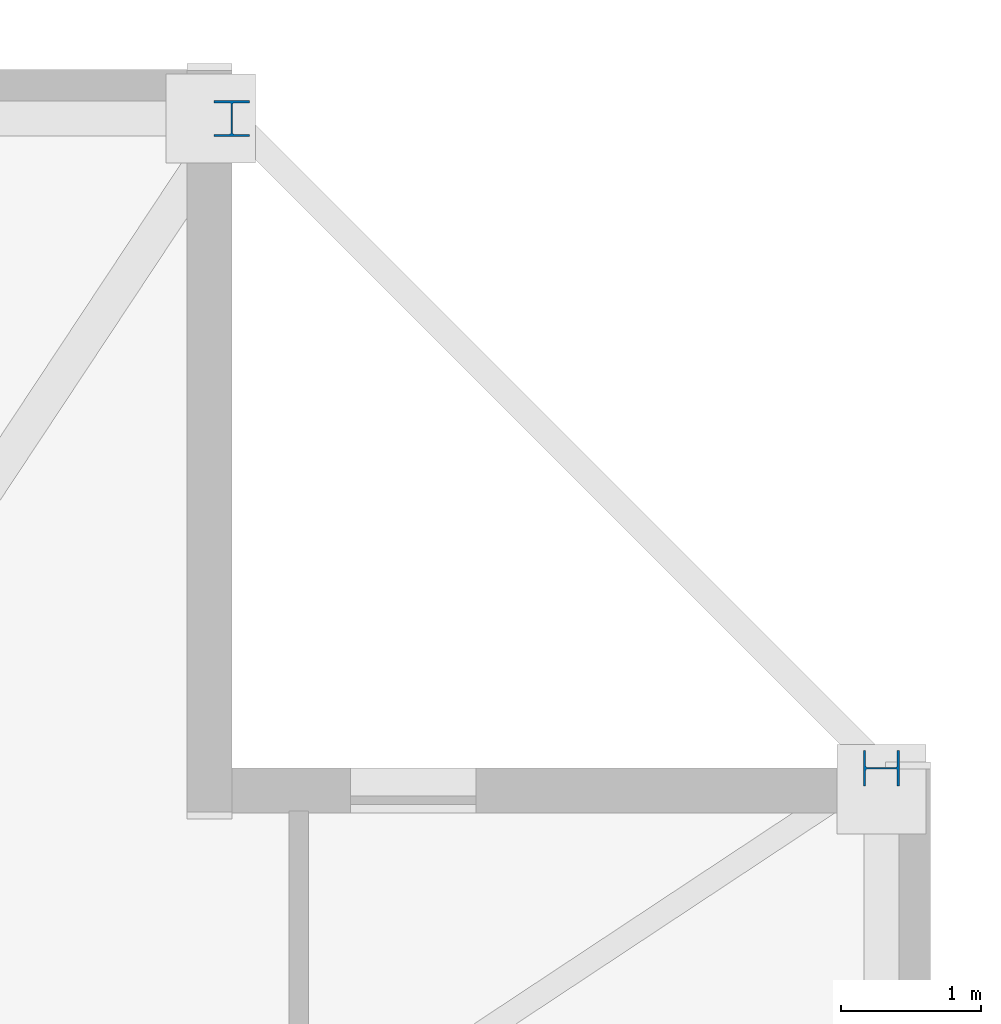
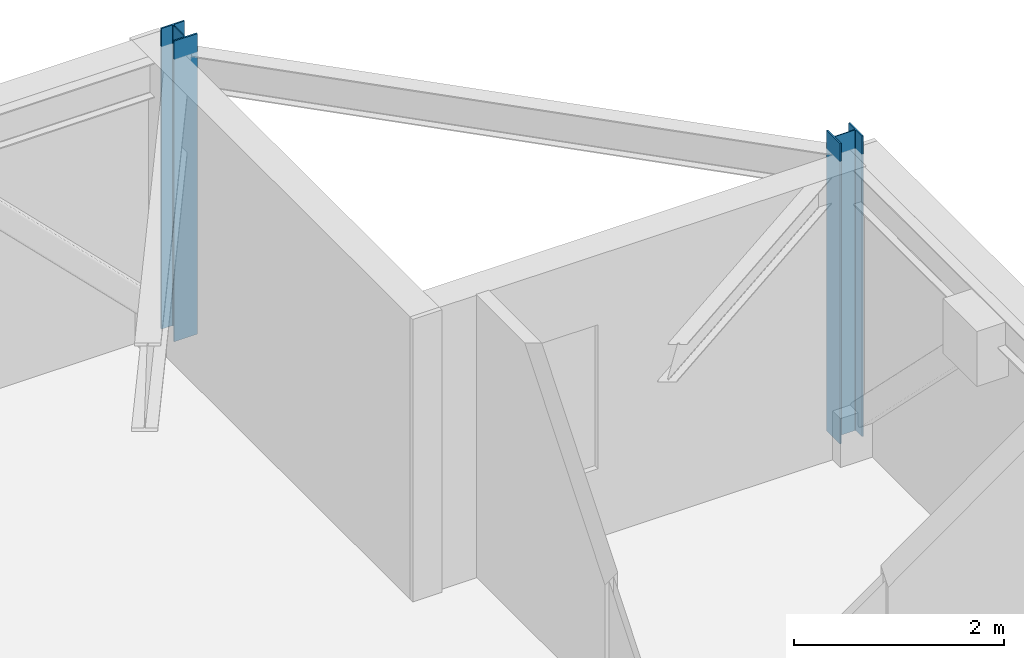
# One storey, part 5 of 17: 2 columns.
"""IFC4 building model written with IfcOpenShell, lengths in metres."""

from ifc_helpers import new_model, si_unit, direction, frame, origin, origin_2d, place, context, subcontext, project, spatial, i_section, extrude, material, material_profile, profile_set, type_object, element, save


model = new_model("IFC4")

# Units and contexts
model_context = context("Model", 3, precision=1e-05, world=origin(), true_north=direction((0.0, 1.0)))
body_context = subcontext(model_context, "Body", "Model", "MODEL_VIEW")
ifc_project = project(units=[si_unit("LENGTHUNIT", "METRE"), si_unit("AREAUNIT", "SQUARE_METRE"), si_unit("VOLUMEUNIT", "CUBIC_METRE"), si_unit("PLANEANGLEUNIT", "RADIAN"), si_unit("MASSUNIT", "GRAM", prefix="KILO")], contexts=[model_context])

# Site, building, storey
site_placement = place(None, origin())
site = spatial("IfcSite", under=ifc_project, at=site_placement, CompositionType="ELEMENT")
building_placement = place(site_placement, origin())
building = spatial("IfcBuilding", under=site, at=building_placement, Name="Cairnveth Concourse Tower", CompositionType="ELEMENT")
storey_placement = place(building_placement, frame((0.0, 0.0, 223.5)))
storey = spatial("IfcBuildingStorey", under=building, at=storey_placement, Name="L61", CompositionType="ELEMENT", Elevation=223.5)

# Columns
ifc_material = material(Name="Steel Grade 350", Category="steel")
ifc_material_profile = material_profile(ifc_material, i_section(OverallWidth=0.256103515625, OverallDepth=0.260009765625, WebThickness=0.010498046875, FlangeThickness=0.017333984375, FilletRadius=0.012939453125, at=origin_2d()), Name="250UC89.5")
ifc_profile_set = profile_set([ifc_material_profile], Name="Steel Grade 350")
column_type = type_object("IfcColumnType", Name="UNIVERSAL STEEL COLUMN 250UC89.5", PredefinedType="COLUMN", material=ifc_profile_set)
for number, where, z_axis, x_axis, name in (
    (1, (74.14990234375, 56.5, 0.0), (0.0, 0.0, 1.0), (0.0, 1.0, 0.0), "Column P-E4 L61"),
    (2, (69.5, 61.14990234375, 0.0), (0.0, 0.0, 1.0), (1.0, 0.0, 0.0), "Column P-N1 L61"),
):
    element("IfcColumn", number, at=place(storey_placement, frame(where, z_axis=z_axis, x_axis=x_axis)), inside=storey, type_object=column_type, Name=name, PredefinedType="COLUMN", context=body_context, shape_type="SweptSolid", body=[
        extrude(i_section(OverallWidth=0.256103515625, OverallDepth=0.260009765625, WebThickness=0.010498046875, FlangeThickness=0.017333984375, FilletRadius=0.012939453125, at=origin_2d()), origin(), (0.0, 0.0, 1.0), 3.5),
    ])

save(model, "model.ifc")
